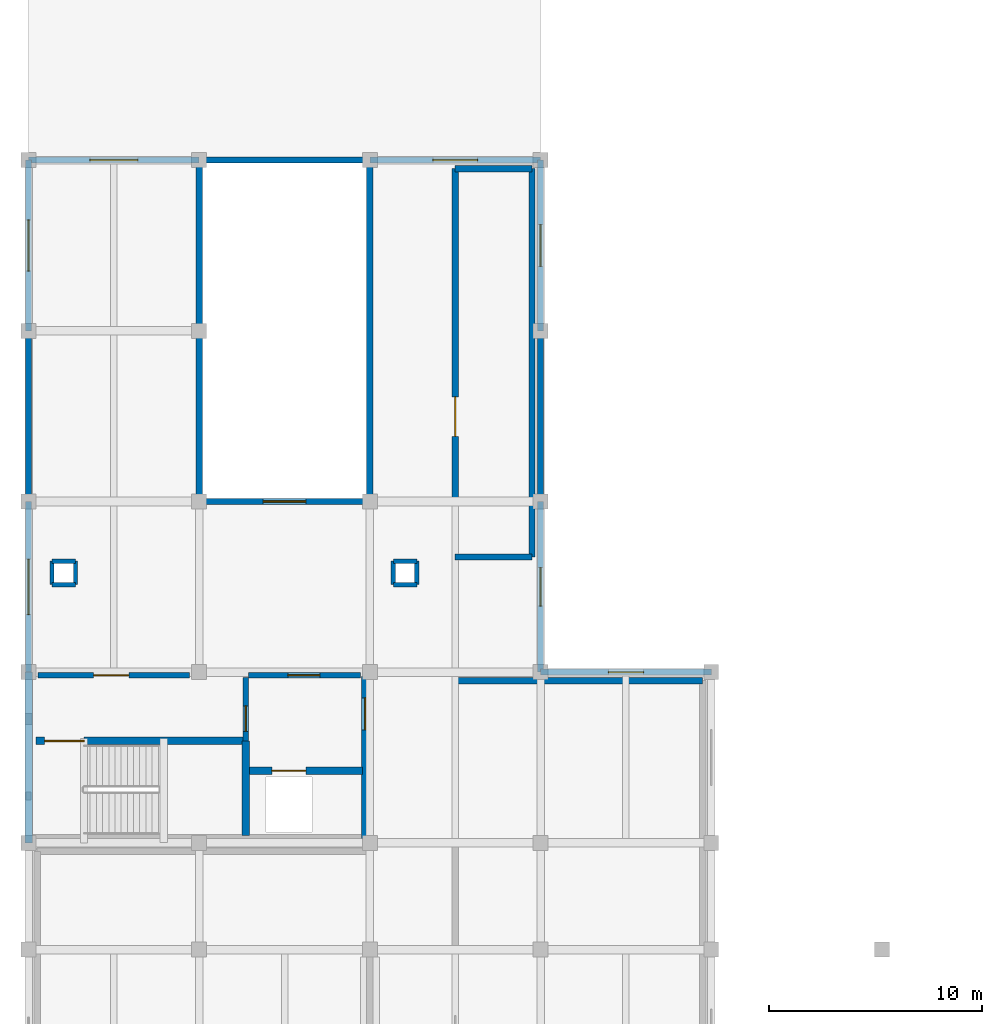
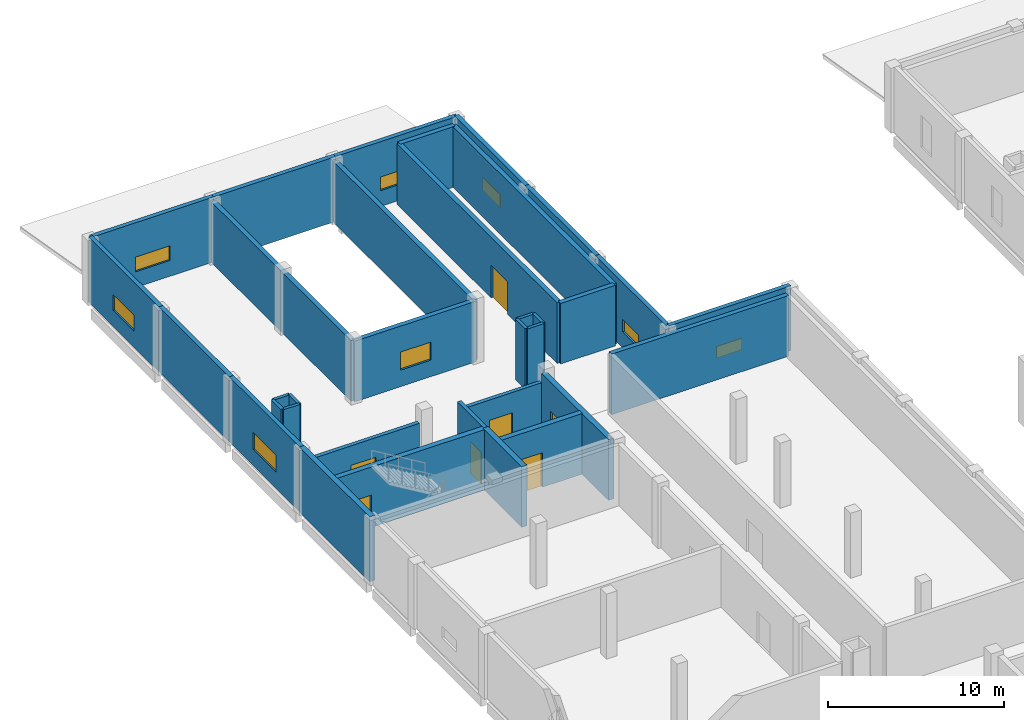
# One storey, part 25 of 37: 34 walls, 8 windows, 7 doors, 15 openings.
"""IFC4 building model written with IfcOpenShell, lengths in metres."""

from ifc_helpers import new_model, si_unit, direction, frame, frame_2d, origin, place, context, subcontext, project, spatial, rectangle, extrude, material, layer, layer_set, type_object, element, fill, save


model = new_model("IFC4")

# Units and contexts
model_context = context("Model", 3, precision=1e-05, world=origin(), true_north=direction((0.0, 1.0)))
body_context = subcontext(model_context, "Body", "Model", "MODEL_VIEW")
ifc_project = project(units=[si_unit("LENGTHUNIT", "METRE"), si_unit("AREAUNIT", "SQUARE_METRE"), si_unit("VOLUMEUNIT", "CUBIC_METRE"), si_unit("PLANEANGLEUNIT", "RADIAN"), si_unit("MASSUNIT", "GRAM", prefix="KILO")], contexts=[model_context])

# Site, building, storey
site_placement = place(None, origin())
site = spatial("IfcSite", under=ifc_project, at=site_placement, CompositionType="ELEMENT")
building_placement = place(site_placement, origin())
building = spatial("IfcBuilding", under=site, at=building_placement, Name="Qorikala Patio Media Centre", CompositionType="ELEMENT")
storey_placement = place(building_placement, frame((0.0, 0.0, 14.39990234375)))
storey = spatial("IfcBuildingStorey", under=building, at=storey_placement, Name="L03", CompositionType="ELEMENT", Elevation=14.39990234375)

# Wall, opening, window
ifc_material_1 = material(Name="Concrete C35/45", Category="concrete")
ifc_layer_1 = layer(ifc_material_1, 0.300048828125)
ifc_layer_set_1 = layer_set([ifc_layer_1], Name="Concrete C35/45")
wall_type_1 = type_object("IfcWallType", Name="WL-AC-300", PredefinedType="SHEAR", material=ifc_layer_set_1)
wall_1_placement = place(storey_placement, frame((11.0, 80.0, 0.0), z_axis=(0.0, 0.0, 1.0), x_axis=(1.0, 0.0, 0.0)))
wall_1 = element("IfcWall", 1, at=wall_1_placement, inside=storey, type_object=wall_type_1, Name="L03 Interior Wall VW-L03-STUDIO2_VOID-1", PredefinedType="SHEAR", context=body_context, shape_type="SweptSolid", body=[
    extrude(rectangle(XDim=8.0, YDim=0.300048828125, at=frame_2d((4.0, 0.0))), origin(), (0.0, 0.0, 1.0), 4.2001953125),
])
opening_1_placement = place(wall_1_placement, frame((3.0, 0.0, 1.14990234375)))
opening_1 = element("IfcOpeningElement", 2, at=opening_1_placement, cuts=wall_1, Name="Opening WO-200", PredefinedType="OPENING", context=body_context, shape_type="SweptSolid", body=[
    extrude(rectangle(XDim=2.0, YDim=1.25, at=frame_2d((1.0, 0.625))), frame((0.0, 0.159912109375, 0.0), z_axis=(0.0, -1.0, 0.0), x_axis=(1.0, 0.0, 0.0)), (0.0, 0.0, 1.0), 0.320068359375),
])
ifc_material_2 = material(Name="Triple Acoustic Studio Glass", Category="glass")
window_type_1 = type_object("IfcWindowType", Name="WN-OBS-200X125", PartitioningType="SINGLE_PANEL", PredefinedType="WINDOW", material=ifc_material_2)
window_1_placement = place(opening_1_placement, origin())
window_1 = element("IfcWindow", 3, at=window_1_placement, inside=storey, type_object=window_type_1, Name="L03 STUDIO2_VOID Acoustic Observation Window 1", OverallHeight=1.25, OverallWidth=2.0, PartitioningType="SINGLE_PANEL", PredefinedType="WINDOW", context=body_context, shape_type="SweptSolid", body=[
    extrude(rectangle(XDim=2.0, YDim=1.25, at=frame_2d((1.0, 0.625))), frame((0.0, 0.030029296875, 0.0), z_axis=(0.0, -1.0, 0.0), x_axis=(1.0, 0.0, 0.0)), (0.0, 0.0, 1.0), 0.06005859375),
])
fill(opening_1, window_1)

# Walls
for number, where, z_axis, x_axis, name in (
    (4, (19.0, 80.0, 0.0), (0.0, 0.0, 1.0), (0.0, 1.0, 0.0), "L03 Interior Wall VW-L03-STUDIO2_VOID-2"),
    (5, (11.0, 96.0, 0.0), (0.0, 0.0, 1.0), (0.0, -1.0, 0.0), "L03 Interior Wall VW-L03-STUDIO2_VOID-4"),
):
    element("IfcWall", number, at=place(storey_placement, frame(where, z_axis=z_axis, x_axis=x_axis)), inside=storey, type_object=wall_type_1, Name=name, PredefinedType="SHEAR", context=body_context, shape_type="SweptSolid", body=[
        extrude(rectangle(XDim=16.0, YDim=0.300048828125, at=frame_2d((8.0, 0.0))), origin(), (0.0, 0.0, 1.0), 4.2001953125),
    ])
wall_2_placement = place(storey_placement, frame((23.0, 71.60009765625, 0.0), z_axis=(0.0, 0.0, 1.0), x_axis=(1.0, 0.0, 0.0)))
element("IfcWall", 6, at=wall_2_placement, inside=storey, type_object=wall_type_1, Name="L03 Interior Wall WINT-L03-UTR4-N", PredefinedType="SHEAR", context=body_context, shape_type="SweptSolid", body=[
    extrude(rectangle(XDim=11.60009765625, YDim=0.300048828125, at=frame_2d((5.800048828125, 0.0))), origin(), (0.0, 0.0, 1.0), 4.2001953125),
])
wall_3_placement = place(storey_placement, frame((23.0, 77.39990234375, 0.0), z_axis=(0.0, 0.0, 1.0), x_axis=(1.0, 0.0, 0.0)))
element("IfcWall", 7, at=wall_3_placement, inside=storey, type_object=wall_type_1, Name="L03 Interior Wall WINT-L03-RAD1-S", PredefinedType="SHEAR", context=body_context, shape_type="SweptSolid", body=[
    extrude(rectangle(XDim=3.60009765625, YDim=0.300048828125, at=frame_2d((1.800048828125, 0.0))), origin(), (0.0, 0.0, 1.0), 4.2001953125),
])
wall_4_placement = place(storey_placement, frame((26.60009765625, 77.39990234375, 0.0), z_axis=(0.0, 0.0, 1.0), x_axis=(0.0, 1.0, 0.0)))
element("IfcWall", 8, at=wall_4_placement, inside=storey, type_object=wall_type_1, Name="L03 Interior Wall WINT-L03-RAD1-E", PredefinedType="SHEAR", context=body_context, shape_type="SweptSolid", body=[
    extrude(rectangle(XDim=18.2001953125, YDim=0.300048828125, at=frame_2d((9.10009765625, 0.0))), origin(), (0.0, 0.0, 1.0), 4.2001953125),
])
wall_5_placement = place(storey_placement, frame((23.0, 95.60009765625, 0.0), z_axis=(0.0, 0.0, 1.0), x_axis=(1.0, 0.0, 0.0)))
element("IfcWall", 9, at=wall_5_placement, inside=storey, type_object=wall_type_1, Name="L03 Interior Wall WINT-L03-RAD1-N", PredefinedType="SHEAR", context=body_context, shape_type="SweptSolid", body=[
    extrude(rectangle(XDim=3.60009765625, YDim=0.300048828125, at=frame_2d((1.800048828125, 0.0))), origin(), (0.0, 0.0, 1.0), 4.2001953125),
])

# Wall, opening, door
wall_6_placement = place(storey_placement, frame((23.0, 77.39990234375, 0.0), z_axis=(0.0, 0.0, 1.0), x_axis=(0.0, 1.0, 0.0)))
wall_6 = element("IfcWall", 10, at=wall_6_placement, inside=storey, type_object=wall_type_1, Name="L03 Interior Wall WINT-L03-RAD1-W", PredefinedType="SHEAR", context=body_context, shape_type="SweptSolid", body=[
    extrude(rectangle(XDim=18.2001953125, YDim=0.300048828125, at=frame_2d((9.10009765625, 0.0))), origin(), (0.0, 0.0, 1.0), 4.2001953125),
])
opening_2_placement = place(wall_6_placement, frame((5.65087890625, 0.0, 0.0)))
opening_2 = element("IfcOpeningElement", 11, at=opening_2_placement, cuts=wall_6, Name="Opening D297", PredefinedType="OPENING", context=body_context, shape_type="SweptSolid", body=[
    extrude(rectangle(XDim=1.85009765625, YDim=2.25, at=frame_2d((0.925048828125, 1.125))), frame((0.0, 0.159912109375, 0.0), z_axis=(0.0, -1.0, 0.0), x_axis=(1.0, 0.0, 0.0)), (0.0, 0.0, 1.0), 0.320068359375),
])
ifc_material_3 = material(Name="Powder-Coated Acoustic Fire Steel", Category="steel")
door_type_1 = type_object("IfcDoorType", Name="DR-FD60-185X225", OperationType="DOUBLE_DOOR_SINGLE_SWING", PredefinedType="DOOR", material=ifc_material_3)
door_1_placement = place(opening_2_placement, origin())
door_1 = element("IfcDoor", 12, at=door_1_placement, inside=storey, type_object=door_type_1, Name="Live Radio Broadcast Studio 1 Door 086", OperationType="DOUBLE_DOOR_SINGLE_SWING", OverallHeight=2.25, OverallWidth=1.85009765625, PredefinedType="DOOR", context=body_context, shape_type="SweptSolid", body=[
    extrude(rectangle(XDim=1.85009765625, YDim=2.25, at=frame_2d((0.925048828125, 1.125))), frame((0.0, 0.02490234375, 0.0), z_axis=(0.0, -1.0, 0.0), x_axis=(1.0, 0.0, 0.0)), (0.0, 0.0, 1.0), 0.050048828125),
])
fill(opening_2, door_1)

# Walls
ifc_layer_2 = layer(ifc_material_1, 0.35009765625)
ifc_layer_set_2 = layer_set([ifc_layer_2], Name="Concrete C35/45")
wall_type_2 = type_object("IfcWallType", Name="WL-CORE-350", PredefinedType="SHEAR", material=ifc_layer_set_2)
wall_7_placement = place(storey_placement, frame((3.0, 64.0, 0.0), z_axis=(0.0, 0.0, 1.0), x_axis=(0.0, 1.0, 0.0)))
element("IfcWall", 13, at=wall_7_placement, inside=storey, type_object=wall_type_2, Name="L03 Core C3 Exterior Shear Wall", PredefinedType="SHEAR", context=body_context, shape_type="SweptSolid", body=[
    extrude(rectangle(XDim=8.0, YDim=0.35009765625, at=frame_2d((4.0, 0.0))), origin(), (0.0, 0.0, 1.0), 4.5),
])
wall_8_placement = place(storey_placement, frame((13.175048828125, 64.35009765625, 0.0), z_axis=(0.0, 0.0, 1.0), x_axis=(0.0, 1.0, 0.0)))
element("IfcWall", 14, at=wall_8_placement, inside=storey, type_object=wall_type_2, Name="L03 Interior Wall CW-L03-C3-SE", PredefinedType="SHEAR", context=body_context, shape_type="SweptSolid", body=[
    extrude(rectangle(XDim=4.4248046875, YDim=0.35009765625, at=frame_2d((2.21240234375, 0.0))), origin(), (0.0, 0.0, 1.0), 4.2001953125),
])

# Wall, opening, door
wall_9_placement = place(storey_placement, frame((18.77490234375, 64.199951171875, 0.0), z_axis=(0.0, 0.0, 1.0), x_axis=(0.0, 1.0, 0.0)))
wall_9 = element("IfcWall", 15, at=wall_9_placement, inside=storey, type_object=wall_type_2, Name="L03 Interior Wall CW-L03-C3-EE", PredefinedType="SHEAR", context=body_context, shape_type="SweptSolid", body=[
    extrude(rectangle(XDim=7.60009765625, YDim=0.35009765625, at=frame_2d((3.800048828125, 0.0))), origin(), (0.0, 0.0, 1.0), 4.2001953125),
])
opening_3_placement = place(wall_9_placement, frame((5.10009765625, 0.0, 0.0)))
opening_3 = element("IfcOpeningElement", 16, at=opening_3_placement, cuts=wall_9, Name="Opening D115", PredefinedType="OPENING", context=body_context, shape_type="SweptSolid", body=[
    extrude(rectangle(XDim=1.5, YDim=2.199951171875, at=frame_2d((0.75, 1.10009765625))), frame((0.0, 0.18505859375, 0.0), z_axis=(0.0, -1.0, 0.0), x_axis=(1.0, 0.0, 0.0)), (0.0, 0.0, 1.0), 0.3701171875),
])
door_type_2 = type_object("IfcDoorType", Name="DR-FD60-150X220", OperationType="DOUBLE_DOOR_SINGLE_SWING", PredefinedType="DOOR", material=ifc_material_3)
door_2_placement = place(opening_3_placement, origin())
door_2 = element("IfcDoor", 17, at=door_2_placement, inside=storey, type_object=door_type_2, Name="L03 Core C3 East Corridor Fire Door", OperationType="DOUBLE_DOOR_SINGLE_SWING", OverallHeight=2.199951171875, OverallWidth=1.5, PredefinedType="DOOR", context=body_context, shape_type="SweptSolid", body=[
    extrude(rectangle(XDim=1.5, YDim=2.199951171875, at=frame_2d((0.75, 1.10009765625))), frame((0.0, 0.02490234375, 0.0), z_axis=(0.0, -1.0, 0.0), x_axis=(1.0, 0.0, 0.0)), (0.0, 0.0, 1.0), 0.050048828125),
])
fill(opening_3, door_2)

wall_10_placement = place(storey_placement, frame((3.35009765625, 68.77490234375, 0.0), z_axis=(0.0, 0.0, 1.0), x_axis=(1.0, 0.0, 0.0)))
wall_10 = element("IfcWall", 18, at=wall_10_placement, inside=storey, type_object=wall_type_2, Name="L03 Interior Wall CW-L03-C3-SN", PredefinedType="SHEAR", context=body_context, shape_type="SweptSolid", body=[
    extrude(rectangle(XDim=9.824951171875, YDim=0.35009765625, at=frame_2d((4.91259765625, 0.0))), origin(), (0.0, 0.0, 1.0), 4.2001953125),
])
opening_4_placement = place(wall_10_placement, frame((0.39990234375, 0.0, 0.0)))
opening_4 = element("IfcOpeningElement", 19, at=opening_4_placement, cuts=wall_10, Name="Opening D111", PredefinedType="OPENING", context=body_context, shape_type="SweptSolid", body=[
    extrude(rectangle(XDim=1.85009765625, YDim=2.25, at=frame_2d((0.925048828125, 1.125))), frame((0.0, 0.18505859375, 0.0), z_axis=(0.0, -1.0, 0.0), x_axis=(1.0, 0.0, 0.0)), (0.0, 0.0, 1.0), 0.3701171875),
])
door_3_placement = place(opening_4_placement, origin())
door_3 = element("IfcDoor", 20, at=door_3_placement, inside=storey, type_object=door_type_1, Name="L03 Stair ST-3 Fire Door", OperationType="DOUBLE_DOOR_SINGLE_SWING", OverallHeight=2.25, OverallWidth=1.85009765625, PredefinedType="DOOR", context=body_context, shape_type="SweptSolid", body=[
    extrude(rectangle(XDim=1.85009765625, YDim=2.25, at=frame_2d((0.925048828125, 1.125))), frame((0.0, 0.02490234375, 0.0), z_axis=(0.0, -1.0, 0.0), x_axis=(1.0, 0.0, 0.0)), (0.0, 0.0, 1.0), 0.050048828125),
])
fill(opening_4, door_3)

wall_11_placement = place(storey_placement, frame((13.175048828125, 67.375, 0.0), z_axis=(0.0, 0.0, 1.0), x_axis=(1.0, 0.0, 0.0)))
wall_11 = element("IfcWall", 21, at=wall_11_placement, inside=storey, type_object=wall_type_2, Name="L03 Interior Wall CW-L03-C3-LFN", PredefinedType="SHEAR", context=body_context, shape_type="SweptSolid", body=[
    extrude(rectangle(XDim=5.474853515625, YDim=0.35009765625, at=frame_2d((2.7373046875, 0.0))), origin(), (0.0, 0.0, 1.0), 4.2001953125),
])
opening_5_placement = place(wall_11_placement, frame((1.22509765625, 0.0, 0.0)))
opening_5 = element("IfcOpeningElement", 22, at=opening_5_placement, cuts=wall_11, Name="Opening LD28", PredefinedType="OPENING", context=body_context, shape_type="SweptSolid", body=[
    extrude(rectangle(XDim=1.60009765625, YDim=2.39990234375, at=frame_2d((0.800048828125, 1.199951171875))), frame((0.0, 0.18505859375, 0.0), z_axis=(0.0, -1.0, 0.0), x_axis=(1.0, 0.0, 0.0)), (0.0, 0.0, 1.0), 0.3701171875),
])
ifc_material_4 = material(Name="Heavy Stainless Steel Freight", Category="steel")
door_type_3 = type_object("IfcDoorType", Name="DR-LD-160X240", OperationType="DOUBLE_DOOR_SLIDING", PredefinedType="DOOR", material=ifc_material_4)
door_4_placement = place(opening_5_placement, origin())
door_4 = element("IfcDoor", 23, at=door_4_placement, inside=storey, type_object=door_type_3, Name="L03 Lift LS-01 Sliding Landing Door", OperationType="DOUBLE_DOOR_SLIDING", OverallHeight=2.39990234375, OverallWidth=1.60009765625, PredefinedType="DOOR", context=body_context, shape_type="SweptSolid", body=[
    extrude(rectangle(XDim=1.60009765625, YDim=2.39990234375, at=frame_2d((0.800048828125, 1.199951171875))), frame((0.0, 0.02490234375, 0.0), z_axis=(0.0, -1.0, 0.0), x_axis=(1.0, 0.0, 0.0)), (0.0, 0.0, 1.0), 0.050048828125),
])
fill(opening_5, door_4)

ifc_layer_3 = layer(ifc_material_1, 0.25)
ifc_layer_set_3 = layer_set([ifc_layer_3], Name="Concrete C35/45")
wall_type_3 = type_object("IfcWallType", Name="WL-FFL-250", PredefinedType="PARTITIONING", material=ifc_layer_set_3)
wall_12_placement = place(storey_placement, frame((13.175048828125, 68.77490234375, 0.0), z_axis=(0.0, 0.0, 1.0), x_axis=(0.0, 1.0, 0.0)))
wall_12 = element("IfcWall", 24, at=wall_12_placement, inside=storey, type_object=wall_type_3, Name="L03 Interior Wall CW-L03-C3-LBD", PredefinedType="PARTITIONING", context=body_context, shape_type="SweptSolid", body=[
    extrude(rectangle(XDim=2.97509765625, YDim=0.25, at=frame_2d((1.487548828125, 0.0))), origin(), (0.0, 0.0, 1.0), 4.2001953125),
])
opening_6_placement = place(wall_12_placement, frame((0.449951171875, 0.0, 0.0)))
opening_6 = element("IfcOpeningElement", 25, at=opening_6_placement, cuts=wall_12, Name="Opening D112", PredefinedType="OPENING", context=body_context, shape_type="SweptSolid", body=[
    extrude(rectangle(XDim=1.199951171875, YDim=2.199951171875, at=frame_2d((0.60009765625, 1.10009765625))), frame((0.0, 0.135009765625, 0.0), z_axis=(0.0, -1.0, 0.0), x_axis=(1.0, 0.0, 0.0)), (0.0, 0.0, 1.0), 0.27001953125),
])
ifc_material_5 = material(Name="Acoustic Fire Timber and Steel", Category="steel")
door_type_4 = type_object("IfcDoorType", Name="DR-FD60-120X220", OperationType="NOTDEFINED", PredefinedType="DOOR", material=ifc_material_5)
door_5_placement = place(opening_6_placement, origin())
door_5 = element("IfcDoor", 26, at=door_5_placement, inside=storey, type_object=door_type_4, Name="L03 Core C3 Firefighting Lobby Cross Door", OperationType="SINGLE_SWING_LEFT", OverallHeight=2.199951171875, OverallWidth=1.199951171875, PredefinedType="DOOR", context=body_context, shape_type="SweptSolid", body=[
    extrude(rectangle(XDim=1.199951171875, YDim=2.199951171875, at=frame_2d((0.60009765625, 1.10009765625))), frame((0.0, 0.02490234375, 0.0), z_axis=(0.0, -1.0, 0.0), x_axis=(1.0, 0.0, 0.0)), (0.0, 0.0, 1.0), 0.050048828125),
])
fill(opening_6, door_5)

wall_13_placement = place(storey_placement, frame((3.449951171875, 71.85009765625, 0.0), z_axis=(0.0, 0.0, 1.0), x_axis=(1.0, 0.0, 0.0)))
wall_13 = element("IfcWall", 27, at=wall_13_placement, inside=storey, type_object=wall_type_3, Name="L03 Interior Wall CW-L03-C3-CN1", PredefinedType="PARTITIONING", context=body_context, shape_type="SweptSolid", body=[
    extrude(rectangle(XDim=7.10009765625, YDim=0.25, at=frame_2d((3.550048828125, 0.0))), origin(), (0.0, 0.0, 1.0), 3.60498046875),
])
opening_7_placement = place(wall_13_placement, frame((2.60009765625, 0.0, 0.0)))
opening_7 = element("IfcOpeningElement", 28, at=opening_7_placement, cuts=wall_13, Name="Opening D113", PredefinedType="OPENING", context=body_context, shape_type="SweptSolid", body=[
    extrude(rectangle(XDim=1.64990234375, YDim=2.25, at=frame_2d((0.824951171875, 1.125))), frame((0.0, 0.135009765625, 0.0), z_axis=(0.0, -1.0, 0.0), x_axis=(1.0, 0.0, 0.0)), (0.0, 0.0, 1.0), 0.27001953125),
])
door_type_5 = type_object("IfcDoorType", Name="DR-FD60-165X225", OperationType="DOUBLE_DOOR_SINGLE_SWING", PredefinedType="DOOR", material=ifc_material_3)
door_6_placement = place(opening_7_placement, frame((1.64990234375, 0.0, 0.0), z_axis=(0.0, 0.0, 1.0), x_axis=(-1.0, 0.0, 0.0)))
door_6 = element("IfcDoor", 29, at=door_6_placement, inside=storey, type_object=door_type_5, Name="L03 Core C3 Vestibule Door", OperationType="DOUBLE_DOOR_SINGLE_SWING", OverallHeight=2.25, OverallWidth=1.64990234375, PredefinedType="DOOR", context=body_context, shape_type="SweptSolid", body=[
    extrude(rectangle(XDim=1.64990234375, YDim=2.25, at=frame_2d((0.824951171875, 1.125))), frame((0.0, 0.02490234375, 0.0), z_axis=(0.0, -1.0, 0.0), x_axis=(1.0, 0.0, 0.0)), (0.0, 0.0, 1.0), 0.050048828125),
])
fill(opening_7, door_6)

wall_14_placement = place(storey_placement, frame((13.300048828125, 71.85009765625, 0.0), z_axis=(0.0, 0.0, 1.0), x_axis=(1.0, 0.0, 0.0)))
wall_14 = element("IfcWall", 30, at=wall_14_placement, inside=storey, type_object=wall_type_3, Name="L03 Interior Wall CW-L03-C3-CN2", PredefinedType="PARTITIONING", context=body_context, shape_type="SweptSolid", body=[
    extrude(rectangle(XDim=5.25, YDim=0.25, at=frame_2d((2.625, 0.0))), origin(), (0.0, 0.0, 1.0), 3.60498046875),
])
opening_8_placement = place(wall_14_placement, frame((1.85009765625, 0.0, 0.0)))
opening_8 = element("IfcOpeningElement", 31, at=opening_8_placement, cuts=wall_14, Name="Opening D114", PredefinedType="OPENING", context=body_context, shape_type="SweptSolid", body=[
    extrude(rectangle(XDim=1.5, YDim=2.199951171875, at=frame_2d((0.75, 1.10009765625))), frame((0.0, 0.135009765625, 0.0), z_axis=(0.0, -1.0, 0.0), x_axis=(1.0, 0.0, 0.0)), (0.0, 0.0, 1.0), 0.27001953125),
])
door_7_placement = place(opening_8_placement, origin())
door_7 = element("IfcDoor", 32, at=door_7_placement, inside=storey, type_object=door_type_2, Name="L03 Core C3 Firefighting Lobby Door", OperationType="DOUBLE_DOOR_SINGLE_SWING", OverallHeight=2.199951171875, OverallWidth=1.5, PredefinedType="DOOR", context=body_context, shape_type="SweptSolid", body=[
    extrude(rectangle(XDim=1.5, YDim=2.199951171875, at=frame_2d((0.75, 1.10009765625))), frame((0.0, 0.02490234375, 0.0), z_axis=(0.0, -1.0, 0.0), x_axis=(1.0, 0.0, 0.0)), (0.0, 0.0, 1.0), 0.050048828125),
])
fill(opening_8, door_7)

# Wall, opening, window
ifc_material_6 = material(Name="Warm Ochre Lime Stucco and Concrete C35/45", Category="concrete")
ifc_layer_4 = layer(ifc_material_6, 0.280029296875)
ifc_layer_set_4 = layer_set([ifc_layer_4], Name="Warm Ochre Lime Stucco and Concrete C35/45")
wall_type_4 = type_object("IfcWallType", Name="WL-OCHRE-280", PredefinedType="SOLIDWALL", material=ifc_layer_set_4)
wall_15_placement = place(storey_placement, frame((3.0, 72.0, 0.0), z_axis=(0.0, 0.0, 1.0), x_axis=(0.0, 1.0, 0.0)))
wall_15 = element("IfcWall", 33, at=wall_15_placement, inside=storey, type_object=wall_type_4, Name="L03 Exterior Wall WL-L03-EXT-0018", PredefinedType="SOLIDWALL", context=body_context, shape_type="SweptSolid", body=[
    extrude(rectangle(XDim=8.0, YDim=0.280029296875, at=frame_2d((4.0, 0.0))), origin(), (0.0, 0.0, 1.0), 4.5),
])
opening_9_placement = place(wall_15_placement, frame((2.699951171875, 0.0, 1.10009765625)))
opening_9 = element("IfcOpeningElement", 34, at=opening_9_placement, cuts=wall_15, Name="Opening WL-260", PredefinedType="OPENING", context=body_context, shape_type="SweptSolid", body=[
    extrude(rectangle(XDim=2.60009765625, YDim=1.199951171875, at=frame_2d((1.300048828125, 0.60009765625))), frame((0.0, 0.14990234375, 0.0), z_axis=(0.0, -1.0, 0.0), x_axis=(1.0, 0.0, 0.0)), (0.0, 0.0, 1.0), 0.300048828125),
])
ifc_material_7 = material(Name="Acoustic Laminated Low-E Glass", Category="glass")
window_type_2 = type_object("IfcWindowType", Name="WN-CL-260X120", PartitioningType="SINGLE_PANEL", PredefinedType="WINDOW", material=ifc_material_7)
window_2_placement = place(opening_9_placement, origin())
window_2 = element("IfcWindow", 35, at=window_2_placement, inside=storey, type_object=window_type_2, Name="L03 High Acoustic Clerestory Window 0197", OverallHeight=1.199951171875, OverallWidth=2.60009765625, PartitioningType="SINGLE_PANEL", PredefinedType="WINDOW", context=body_context, shape_type="SweptSolid", body=[
    extrude(rectangle(XDim=2.60009765625, YDim=1.199951171875, at=frame_2d((1.300048828125, 0.60009765625))), frame((0.0, 0.030029296875, 0.0), z_axis=(0.0, -1.0, 0.0), x_axis=(1.0, 0.0, 0.0)), (0.0, 0.0, 1.0), 0.06005859375),
])
fill(opening_9, window_2)

# Wall
wall_16_placement = place(storey_placement, frame((3.0, 80.0, 0.0), z_axis=(0.0, 0.0, 1.0), x_axis=(0.0, 1.0, 0.0)))
element("IfcWall", 36, at=wall_16_placement, inside=storey, type_object=wall_type_4, Name="L03 Exterior Wall WL-L03-EXT-0019", PredefinedType="SOLIDWALL", context=body_context, shape_type="SweptSolid", body=[
    extrude(rectangle(XDim=8.0, YDim=0.280029296875, at=frame_2d((4.0, 0.0))), origin(), (0.0, 0.0, 1.0), 4.5),
])

# Wall, opening, window
wall_17_placement = place(storey_placement, frame((3.0, 88.0, 0.0), z_axis=(0.0, 0.0, 1.0), x_axis=(0.0, 1.0, 0.0)))
wall_17 = element("IfcWall", 37, at=wall_17_placement, inside=storey, type_object=wall_type_4, Name="L03 Exterior Wall WL-L03-EXT-0020", PredefinedType="SOLIDWALL", context=body_context, shape_type="SweptSolid", body=[
    extrude(rectangle(XDim=8.0, YDim=0.280029296875, at=frame_2d((4.0, 0.0))), origin(), (0.0, 0.0, 1.0), 4.5),
])
opening_10_placement = place(wall_17_placement, frame((2.800048828125, 0.0, 1.10009765625)))
opening_10 = element("IfcOpeningElement", 38, at=opening_10_placement, cuts=wall_17, Name="Opening WL-240", PredefinedType="OPENING", context=body_context, shape_type="SweptSolid", body=[
    extrude(rectangle(XDim=2.39990234375, YDim=1.10009765625, at=frame_2d((1.199951171875, 0.550048828125))), frame((0.0, 0.14990234375, 0.0), z_axis=(0.0, -1.0, 0.0), x_axis=(1.0, 0.0, 0.0)), (0.0, 0.0, 1.0), 0.300048828125),
])
window_type_3 = type_object("IfcWindowType", Name="WN-CL-240X110", PartitioningType="SINGLE_PANEL", PredefinedType="WINDOW", material=ifc_material_7)
window_3_placement = place(opening_10_placement, origin())
window_3 = element("IfcWindow", 39, at=window_3_placement, inside=storey, type_object=window_type_3, Name="L03 High Acoustic Clerestory Window 0198", OverallHeight=1.10009765625, OverallWidth=2.39990234375, PartitioningType="SINGLE_PANEL", PredefinedType="WINDOW", context=body_context, shape_type="SweptSolid", body=[
    extrude(rectangle(XDim=2.39990234375, YDim=1.10009765625, at=frame_2d((1.199951171875, 0.550048828125))), frame((0.0, 0.030029296875, 0.0), z_axis=(0.0, -1.0, 0.0), x_axis=(1.0, 0.0, 0.0)), (0.0, 0.0, 1.0), 0.06005859375),
])
fill(opening_10, window_3)

wall_18_placement = place(storey_placement, frame((3.0, 96.0, 0.0), z_axis=(0.0, 0.0, 1.0), x_axis=(1.0, 0.0, 0.0)))
wall_18 = element("IfcWall", 40, at=wall_18_placement, inside=storey, type_object=wall_type_4, Name="L03 Exterior Wall WL-L03-EXT-0021", PredefinedType="SOLIDWALL", context=body_context, shape_type="SweptSolid", body=[
    extrude(rectangle(XDim=8.0, YDim=0.280029296875, at=frame_2d((4.0, 0.0))), origin(), (0.0, 0.0, 1.0), 4.5),
])
opening_11_placement = place(wall_18_placement, frame((2.875, 0.0, 1.10009765625)))
opening_11 = element("IfcOpeningElement", 41, at=opening_11_placement, cuts=wall_18, Name="Opening WL-225", PredefinedType="OPENING", context=body_context, shape_type="SweptSolid", body=[
    extrude(rectangle(XDim=2.25, YDim=1.02001953125, at=frame_2d((1.125, 0.510009765625))), frame((0.0, 0.14990234375, 0.0), z_axis=(0.0, -1.0, 0.0), x_axis=(1.0, 0.0, 0.0)), (0.0, 0.0, 1.0), 0.300048828125),
])
window_type_4 = type_object("IfcWindowType", Name="WN-CL-225X102", PartitioningType="SINGLE_PANEL", PredefinedType="WINDOW", material=ifc_material_7)
window_4_placement = place(opening_11_placement, origin())
window_4 = element("IfcWindow", 42, at=window_4_placement, inside=storey, type_object=window_type_4, Name="L03 High Acoustic Clerestory Window 0199", OverallHeight=1.02001953125, OverallWidth=2.25, PartitioningType="SINGLE_PANEL", PredefinedType="WINDOW", context=body_context, shape_type="SweptSolid", body=[
    extrude(rectangle(XDim=2.25, YDim=1.02001953125, at=frame_2d((1.125, 0.510009765625))), frame((0.0, 0.030029296875, 0.0), z_axis=(0.0, -1.0, 0.0), x_axis=(1.0, 0.0, 0.0)), (0.0, 0.0, 1.0), 0.06005859375),
])
fill(opening_11, window_4)

# Wall
wall_19_placement = place(storey_placement, frame((11.0, 96.0, 0.0), z_axis=(0.0, 0.0, 1.0), x_axis=(1.0, 0.0, 0.0)))
element("IfcWall", 43, at=wall_19_placement, inside=storey, type_object=wall_type_4, Name="L03 Exterior Wall WL-L03-EXT-0022", PredefinedType="SOLIDWALL", context=body_context, shape_type="SweptSolid", body=[
    extrude(rectangle(XDim=8.0, YDim=0.280029296875, at=frame_2d((4.0, 0.0))), origin(), (0.0, 0.0, 1.0), 4.5),
])

# Wall, opening, window
wall_20_placement = place(storey_placement, frame((19.0, 96.0, 0.0), z_axis=(0.0, 0.0, 1.0), x_axis=(1.0, 0.0, 0.0)))
wall_20 = element("IfcWall", 44, at=wall_20_placement, inside=storey, type_object=wall_type_4, Name="L03 Exterior Wall WL-L03-EXT-0023", PredefinedType="SOLIDWALL", context=body_context, shape_type="SweptSolid", body=[
    extrude(rectangle(XDim=8.0, YDim=0.280029296875, at=frame_2d((4.0, 0.0))), origin(), (0.0, 0.0, 1.0), 4.5),
])
opening_12_placement = place(wall_20_placement, frame((2.949951171875, 0.0, 1.10009765625)))
opening_12 = element("IfcOpeningElement", 45, at=opening_12_placement, cuts=wall_20, Name="Opening WL-210", PredefinedType="OPENING", context=body_context, shape_type="SweptSolid", body=[
    extrude(rectangle(XDim=2.10009765625, YDim=0.949951171875, at=frame_2d((1.050048828125, 0.47509765625))), frame((0.0, 0.14990234375, 0.0), z_axis=(0.0, -1.0, 0.0), x_axis=(1.0, 0.0, 0.0)), (0.0, 0.0, 1.0), 0.300048828125),
])
window_type_5 = type_object("IfcWindowType", Name="WN-CL-210X095", PartitioningType="SINGLE_PANEL", PredefinedType="WINDOW", material=ifc_material_7)
window_5_placement = place(opening_12_placement, origin())
window_5 = element("IfcWindow", 46, at=window_5_placement, inside=storey, type_object=window_type_5, Name="L03 High Acoustic Clerestory Window 0200", OverallHeight=0.949951171875, OverallWidth=2.10009765625, PartitioningType="SINGLE_PANEL", PredefinedType="WINDOW", context=body_context, shape_type="SweptSolid", body=[
    extrude(rectangle(XDim=2.10009765625, YDim=0.949951171875, at=frame_2d((1.050048828125, 0.47509765625))), frame((0.0, 0.030029296875, 0.0), z_axis=(0.0, -1.0, 0.0), x_axis=(1.0, 0.0, 0.0)), (0.0, 0.0, 1.0), 0.06005859375),
])
fill(opening_12, window_5)

wall_21_placement = place(storey_placement, frame((27.0, 96.0, 0.0), z_axis=(0.0, 0.0, 1.0), x_axis=(0.0, -1.0, 0.0)))
wall_21 = element("IfcWall", 47, at=wall_21_placement, inside=storey, type_object=wall_type_4, Name="L03 Exterior Wall WL-L03-EXT-0024", PredefinedType="SOLIDWALL", context=body_context, shape_type="SweptSolid", body=[
    extrude(rectangle(XDim=8.0, YDim=0.280029296875, at=frame_2d((4.0, 0.0))), origin(), (0.0, 0.0, 1.0), 4.5),
])
opening_13_placement = place(wall_21_placement, frame((3.02490234375, 0.0, 1.10009765625)))
opening_13 = element("IfcOpeningElement", 48, at=opening_13_placement, cuts=wall_21, Name="Opening WL-195", PredefinedType="OPENING", context=body_context, shape_type="SweptSolid", body=[
    extrude(rectangle(XDim=1.949951171875, YDim=0.89990234375, at=frame_2d((0.97509765625, 0.449951171875))), frame((0.0, 0.14990234375, 0.0), z_axis=(0.0, -1.0, 0.0), x_axis=(1.0, 0.0, 0.0)), (0.0, 0.0, 1.0), 0.300048828125),
])
window_type_6 = type_object("IfcWindowType", Name="WN-CL-195X090", PartitioningType="SINGLE_PANEL", PredefinedType="WINDOW", material=ifc_material_7)
window_6_placement = place(opening_13_placement, origin())
window_6 = element("IfcWindow", 49, at=window_6_placement, inside=storey, type_object=window_type_6, Name="L03 High Acoustic Clerestory Window 0201", OverallHeight=0.89990234375, OverallWidth=1.949951171875, PartitioningType="SINGLE_PANEL", PredefinedType="WINDOW", context=body_context, shape_type="SweptSolid", body=[
    extrude(rectangle(XDim=1.949951171875, YDim=0.89990234375, at=frame_2d((0.97509765625, 0.449951171875))), frame((0.0, 0.030029296875, 0.0), z_axis=(0.0, -1.0, 0.0), x_axis=(1.0, 0.0, 0.0)), (0.0, 0.0, 1.0), 0.06005859375),
])
fill(opening_13, window_6)

# Wall
wall_22_placement = place(storey_placement, frame((27.0, 88.0, 0.0), z_axis=(0.0, 0.0, 1.0), x_axis=(0.0, -1.0, 0.0)))
element("IfcWall", 50, at=wall_22_placement, inside=storey, type_object=wall_type_4, Name="L03 Exterior Wall WL-L03-EXT-0025", PredefinedType="SOLIDWALL", context=body_context, shape_type="SweptSolid", body=[
    extrude(rectangle(XDim=8.0, YDim=0.280029296875, at=frame_2d((4.0, 0.0))), origin(), (0.0, 0.0, 1.0), 4.5),
])

# Wall, opening, window
wall_23_placement = place(storey_placement, frame((27.0, 80.0, 0.0), z_axis=(0.0, 0.0, 1.0), x_axis=(0.0, -1.0, 0.0)))
wall_23 = element("IfcWall", 51, at=wall_23_placement, inside=storey, type_object=wall_type_4, Name="L03 Exterior Wall WL-L03-EXT-0026", PredefinedType="SOLIDWALL", context=body_context, shape_type="SweptSolid", body=[
    extrude(rectangle(XDim=8.0, YDim=0.280029296875, at=frame_2d((4.0, 0.0))), origin(), (0.0, 0.0, 1.0), 4.5),
])
opening_14_placement = place(wall_23_placement, frame((3.10009765625, 0.0, 1.10009765625)))
opening_14 = element("IfcOpeningElement", 52, at=opening_14_placement, cuts=wall_23, Name="Opening WL-180", PredefinedType="OPENING", context=body_context, shape_type="SweptSolid", body=[
    extrude(rectangle(XDim=1.800048828125, YDim=0.85009765625, at=frame_2d((0.89990234375, 0.425048828125))), frame((0.0, 0.14990234375, 0.0), z_axis=(0.0, -1.0, 0.0), x_axis=(1.0, 0.0, 0.0)), (0.0, 0.0, 1.0), 0.300048828125),
])
window_type_7 = type_object("IfcWindowType", Name="WN-CL-180X085", PartitioningType="SINGLE_PANEL", PredefinedType="WINDOW", material=ifc_material_7)
window_7_placement = place(opening_14_placement, origin())
window_7 = element("IfcWindow", 53, at=window_7_placement, inside=storey, type_object=window_type_7, Name="L03 High Acoustic Clerestory Window 0202", OverallHeight=0.85009765625, OverallWidth=1.800048828125, PartitioningType="SINGLE_PANEL", PredefinedType="WINDOW", context=body_context, shape_type="SweptSolid", body=[
    extrude(rectangle(XDim=1.800048828125, YDim=0.85009765625, at=frame_2d((0.89990234375, 0.425048828125))), frame((0.0, 0.030029296875, 0.0), z_axis=(0.0, -1.0, 0.0), x_axis=(1.0, 0.0, 0.0)), (0.0, 0.0, 1.0), 0.06005859375),
])
fill(opening_14, window_7)

wall_24_placement = place(storey_placement, frame((27.0, 72.0, 0.0), z_axis=(0.0, 0.0, 1.0), x_axis=(1.0, 0.0, 0.0)))
wall_24 = element("IfcWall", 54, at=wall_24_placement, inside=storey, type_object=wall_type_4, Name="L03 Exterior Wall WL-L03-EXT-0027", PredefinedType="SOLIDWALL", context=body_context, shape_type="SweptSolid", body=[
    extrude(rectangle(XDim=8.0, YDim=0.280029296875, at=frame_2d((4.0, 0.0))), origin(), (0.0, 0.0, 1.0), 4.5),
])
opening_15_placement = place(wall_24_placement, frame((3.175048828125, 0.0, 1.10009765625)))
opening_15 = element("IfcOpeningElement", 55, at=opening_15_placement, cuts=wall_24, Name="Opening WL-165", PredefinedType="OPENING", context=body_context, shape_type="SweptSolid", body=[
    extrude(rectangle(XDim=1.64990234375, YDim=0.800048828125, at=frame_2d((0.824951171875, 0.39990234375))), frame((0.0, 0.14990234375, 0.0), z_axis=(0.0, -1.0, 0.0), x_axis=(1.0, 0.0, 0.0)), (0.0, 0.0, 1.0), 0.300048828125),
])
window_type_8 = type_object("IfcWindowType", Name="WN-CL-165X080", PartitioningType="SINGLE_PANEL", PredefinedType="WINDOW", material=ifc_material_7)
window_8_placement = place(opening_15_placement, origin())
window_8 = element("IfcWindow", 56, at=window_8_placement, inside=storey, type_object=window_type_8, Name="L03 High Acoustic Clerestory Window 0203", OverallHeight=0.800048828125, OverallWidth=1.64990234375, PartitioningType="SINGLE_PANEL", PredefinedType="WINDOW", context=body_context, shape_type="SweptSolid", body=[
    extrude(rectangle(XDim=1.64990234375, YDim=0.800048828125, at=frame_2d((0.824951171875, 0.39990234375))), frame((0.0, 0.030029296875, 0.0), z_axis=(0.0, -1.0, 0.0), x_axis=(1.0, 0.0, 0.0)), (0.0, 0.0, 1.0), 0.06005859375),
])
fill(opening_15, window_8)

# Walls
ifc_material_8 = material(Name="Acoustic Masonry and Plaster Concrete C30/37", Category="masonry")
ifc_layer_5 = layer(ifc_material_8, 0.199951171875)
ifc_layer_set_5 = layer_set([ifc_layer_5], Name="Acoustic Masonry and Plaster Concrete C30/37")
wall_type_5 = type_object("IfcWallType", Name="WL-ST-200", PredefinedType="PARTITIONING", material=ifc_layer_set_5)
for number, where, z_axis, x_axis, name in (
    (57, (4.10009765625, 76.10009765625, 0.0), (0.0, 0.0, 1.0), (1.0, 0.0, 0.0), "L03 Interior Wall RSW-5-L03-S"),
    (58, (4.10009765625, 77.199951171875, 0.0), (0.0, 0.0, 1.0), (1.0, 0.0, 0.0), "L03 Interior Wall RSW-5-L03-N"),
    (59, (4.10009765625, 76.10009765625, 0.0), (0.0, 0.0, 1.0), (0.0, 1.0, 0.0), "L03 Interior Wall RSW-5-L03-W"),
    (60, (5.199951171875, 76.10009765625, 0.0), (0.0, 0.0, 1.0), (0.0, 1.0, 0.0), "L03 Interior Wall RSW-5-L03-E"),
    (61, (20.10009765625, 76.10009765625, 0.0), (0.0, 0.0, 1.0), (1.0, 0.0, 0.0), "L03 Interior Wall RSW-6-L03-S"),
    (62, (20.10009765625, 77.199951171875, 0.0), (0.0, 0.0, 1.0), (1.0, 0.0, 0.0), "L03 Interior Wall RSW-6-L03-N"),
    (63, (20.10009765625, 76.10009765625, 0.0), (0.0, 0.0, 1.0), (0.0, 1.0, 0.0), "L03 Interior Wall RSW-6-L03-W"),
    (64, (21.199951171875, 76.10009765625, 0.0), (0.0, 0.0, 1.0), (0.0, 1.0, 0.0), "L03 Interior Wall RSW-6-L03-E"),
):
    element("IfcWall", number, at=place(storey_placement, frame(where, z_axis=z_axis, x_axis=x_axis)), inside=storey, type_object=wall_type_5, Name=name, PredefinedType="PARTITIONING", context=body_context, shape_type="SweptSolid", body=[
        extrude(rectangle(XDim=1.099853515625, YDim=0.199951171875, at=frame_2d((0.5498046875, 0.0))), origin(), (0.0, 0.0, 1.0), 4.2001953125),
    ])

save(model, "model.ifc")
